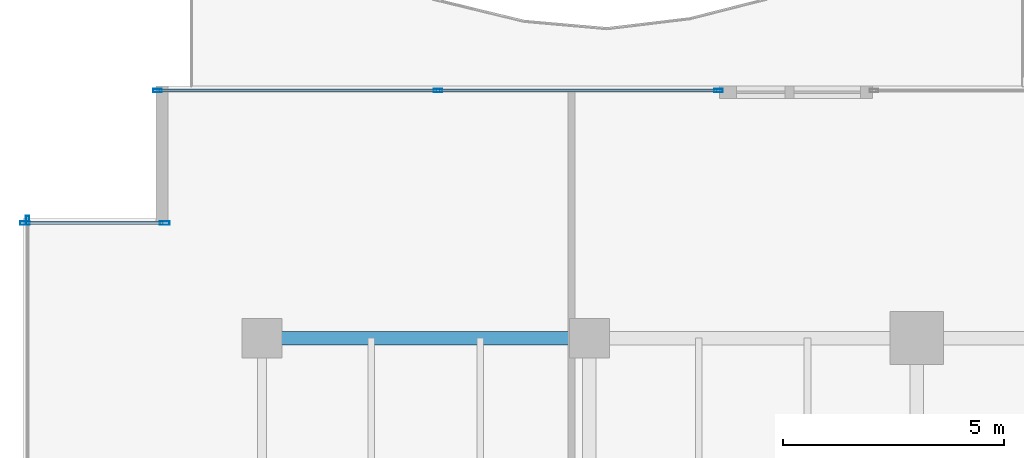
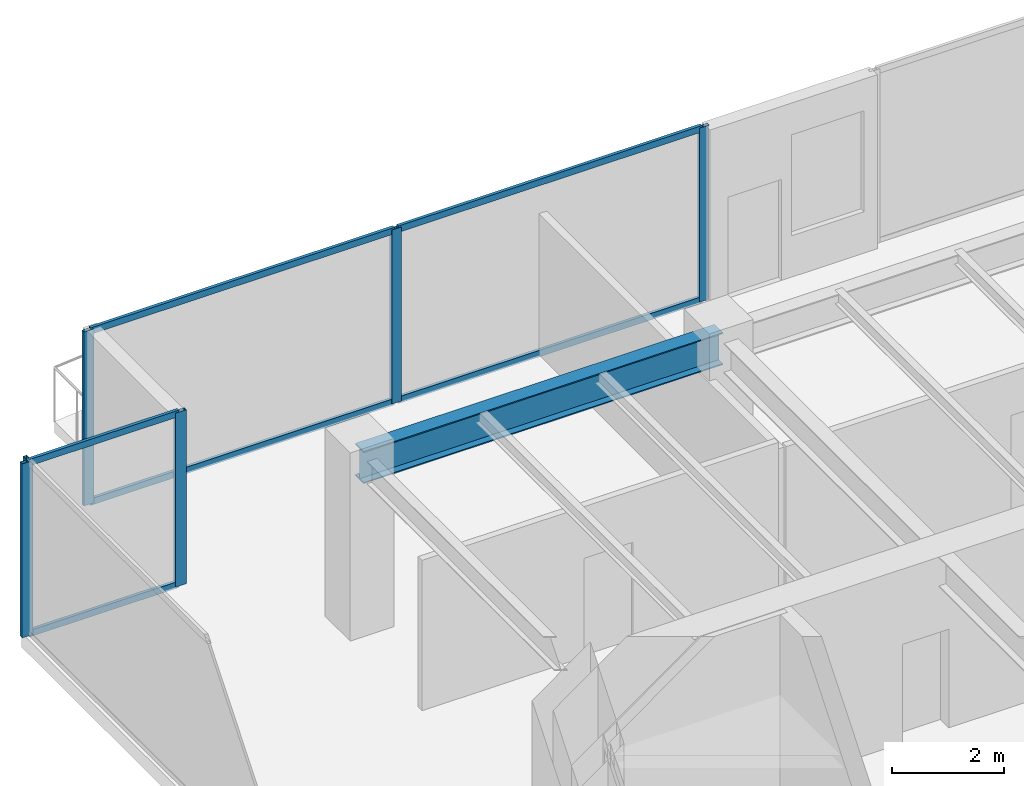
# One storey, part 12 of 30: 12 members, 1 beam, 3 elements without a shape of their own.
"""IFC4 building model written with IfcOpenShell, lengths in metres."""

from ifc_helpers import new_model, si_unit, direction, frame, origin, origin_2d, place, context, subcontext, project, spatial, hollow_rectangle, i_section, extrude, source, transform, mapped, material, layer, layer_set, material_profile, profile_set, type_object, type_shapes, element, aggregate, save


model = new_model("IFC4")

# Units and contexts
model_context = context("Model", 3, precision=1e-05, world=origin(), true_north=direction((0.0, 1.0)))
body_context = subcontext(model_context, "Body", "Model", "MODEL_VIEW")
ifc_project = project(units=[si_unit("LENGTHUNIT", "METRE"), si_unit("AREAUNIT", "SQUARE_METRE"), si_unit("VOLUMEUNIT", "CUBIC_METRE"), si_unit("PLANEANGLEUNIT", "RADIAN"), si_unit("MASSUNIT", "GRAM", prefix="KILO")], contexts=[model_context])

# Site, building, storey
site_placement = place(None, origin())
site = spatial("IfcSite", under=ifc_project, at=site_placement, CompositionType="ELEMENT")
building_placement = place(site_placement, origin())
building = spatial("IfcBuilding", under=site, at=building_placement, Name="Haelvirn Gate Laboratories", CompositionType="ELEMENT")
storey_placement = place(building_placement, frame((0.0, 0.0, 113.300048828125)))
storey = spatial("IfcBuildingStorey", under=building, at=storey_placement, Name="L27", CompositionType="ELEMENT", Elevation=113.300048828125)

# Beam
ifc_material_1 = material(Name="Steel SM355", Category="steel")
ifc_material_profile_1 = material_profile(ifc_material_1, i_section(OverallWidth=0.300048828125, OverallDepth=0.699951171875, WebThickness=0.012939453125, FlangeThickness=0.02392578125, at=origin_2d()), Name="H-700x300x13x24")
ifc_profile_set_1 = profile_set([ifc_material_profile_1], Name="Steel SM355")
beam_type = type_object("IfcBeamType", Name="BM-G-700", PredefinedType="BEAM", material=ifc_profile_set_1)
shared_shape_1 = source(origin(), body_context, "Body", "SweptSolid", [
    extrude(i_section(OverallWidth=0.300048828125, OverallDepth=0.699951171875, WebThickness=0.012939453125, FlangeThickness=0.02392578125, at=origin_2d()), origin(), (0.0, 0.0, 1.0), 7.400146484375),
])
type_shapes(beam_type, [shared_shape_1])
beam_placement = place(storey_placement, frame((7.39990234375, 41.60009765625, 3.43994140625), z_axis=(1.0, 0.0, 0.0), x_axis=(0.0, 1.0, 0.0)))
element("IfcBeam", 1, at=beam_placement, inside=storey, type_object=beam_type, Name="L27 Primary Girder Y41.6 (7.4-14.8)", PredefinedType="BEAM", context=body_context, shape_type="MappedRepresentation", body=[
    mapped(shared_shape_1, transform((0.0, 0.0, 0.0), scale=1.0)),
])

# Curtain wall, members
ifc_material_2 = material(Name="Anodised bronze unitised aluminium & triple low-E glass", Category="aluminium")
ifc_layer_1 = layer(ifc_material_2, 0.181884765625, Name="CW-SYS-5")
ifc_layer_set_1 = layer_set([ifc_layer_1], Name="Anodised bronze unitised aluminium & triple low-E glass")
curtain_wall_type_1 = type_object("IfcCurtainWallType", Name="CW-SYS-5", PredefinedType="NOTDEFINED", material=ifc_layer_set_1)
curtain_wall_1_placement = place(storey_placement, origin())
curtain_wall_1 = element("IfcCurtainWall", 2, at=curtain_wall_1_placement, inside=storey, type_object=curtain_wall_type_1, Name="L27 Unitised Curtain Wall CW-L27-P0-E16-1", PredefinedType="NOTDEFINED")
ifc_material_3 = material(Name="Extruded aluminium 6063-T6 (anodised bronze)", Category="aluminium")
ifc_material_profile_2 = material_profile(ifc_material_3, hollow_rectangle(XDim=0.06494140625, YDim=0.139892578125, WallThickness=0.00390625, at=origin_2d()), Name="CWT-140x65x4")
ifc_profile_set_2 = profile_set([ifc_material_profile_2], Name="Extruded aluminium 6063-T6 (anodised bronze)")
member_type_1 = type_object("IfcMemberType", Name="CWT-T140", PredefinedType="USERDEFINED", material=ifc_profile_set_2)
shared_shape_2 = source(origin(), body_context, "Body", "SweptSolid", [
    extrude(hollow_rectangle(XDim=0.06494140625, YDim=0.139892578125, WallThickness=0.00390625, at=origin_2d()), origin(), (0.0, 0.0, 1.0), 3.079833984375),
])
member_1_placement = place(storey_placement, frame((2.080078125, 44.199951171875, 0.032470703125), z_axis=(1.0, 0.0, 0.0), x_axis=(0.0, 1.0, 0.0)))
member_1 = element("IfcMember", 3, at=member_1_placement, type_object=member_type_1, Name="CW5 transom 1.1", ObjectType="TRANSOM", PredefinedType="USERDEFINED", context=body_context, shape_type="MappedRepresentation", body=[
    mapped(shared_shape_2, transform((0.0, 0.0, 0.0), scale=1.0)),
])
member_2_placement = place(storey_placement, frame((2.080078125, 44.199951171875, 3.757568359375), z_axis=(1.0, 0.0, 0.0), x_axis=(0.0, 1.0, 0.0)))
member_2 = element("IfcMember", 4, at=member_2_placement, type_object=member_type_1, Name="CW5 transom 1.2", ObjectType="TRANSOM", PredefinedType="USERDEFINED", context=body_context, shape_type="MappedRepresentation", body=[
    mapped(shared_shape_2, transform((0.0, 0.0, 0.0), scale=1.0)),
])

ifc_layer_2 = layer(ifc_material_2, 0.179931640625, Name="CW-SYS-3")
ifc_layer_set_2 = layer_set([ifc_layer_2], Name="Anodised bronze unitised aluminium & triple low-E glass")
curtain_wall_type_2 = type_object("IfcCurtainWallType", Name="CW-SYS-3", PredefinedType="NOTDEFINED", material=ifc_layer_set_2)
curtain_wall_2_placement = place(storey_placement, origin())
curtain_wall_2 = element("IfcCurtainWall", 5, at=curtain_wall_2_placement, inside=storey, type_object=curtain_wall_type_2, Name="L27 Unitised Curtain Wall CW-L27-P0-E14-1", PredefinedType="NOTDEFINED")
ifc_material_profile_3 = material_profile(ifc_material_3, hollow_rectangle(XDim=0.074951171875, YDim=0.199951171875, WallThickness=0.0048828125, at=origin_2d()), Name="CWM-200x75x5")
ifc_profile_set_3 = profile_set([ifc_material_profile_3], Name="Extruded aluminium 6063-T6 (anodised bronze)")
member_type_2 = type_object("IfcMemberType", Name="CWM-T200", PredefinedType="MULLION", material=ifc_profile_set_3)
shared_shape_3 = source(origin(), body_context, "Body", "SweptSolid", [
    extrude(hollow_rectangle(XDim=0.074951171875, YDim=0.199951171875, WallThickness=0.0048828125, at=origin_2d()), origin(), (0.0, 0.0, 1.0), 3.7900390625),
])
type_shapes(member_type_2, [shared_shape_3])
member_3_placement = place(storey_placement, frame((5.03759765625, 47.199951171875, 0.0), z_axis=(0.0, 0.0, 1.0), x_axis=(0.0, 1.0, 0.0)))
member_3 = element("IfcMember", 6, at=member_3_placement, type_object=member_type_2, Name="CW3 mullion 1", PredefinedType="MULLION", context=body_context, shape_type="MappedRepresentation", body=[
    mapped(shared_shape_3, transform((0.0, 0.0, 0.0), scale=1.0)),
])
member_4_placement = place(storey_placement, frame((11.37744140625, 47.199951171875, 0.0), z_axis=(0.0, 0.0, 1.0), x_axis=(0.0, 1.0, 0.0)))
member_4 = element("IfcMember", 7, at=member_4_placement, type_object=member_type_2, Name="CW3 mullion 2", PredefinedType="MULLION", context=body_context, shape_type="MappedRepresentation", body=[
    mapped(shared_shape_3, transform((0.0, 0.0, 0.0), scale=1.0)),
])
member_5_placement = place(storey_placement, frame((17.717529296875, 47.199951171875, 0.0), z_axis=(0.0, 0.0, 1.0), x_axis=(0.0, 1.0, 0.0)))
member_5 = element("IfcMember", 8, at=member_5_placement, type_object=member_type_2, Name="CW3 mullion 3", PredefinedType="MULLION", context=body_context, shape_type="MappedRepresentation", body=[
    mapped(shared_shape_3, transform((0.0, 0.0, 0.0), scale=1.0)),
])

# Curtain wall, member
curtain_wall_3_placement = place(storey_placement, origin())
curtain_wall_3 = element("IfcCurtainWall", 9, at=curtain_wall_3_placement, inside=storey, type_object=curtain_wall_type_2, Name="L27 Unitised Curtain Wall CW-L27-P0-E17", PredefinedType="NOTDEFINED")
member_6_placement = place(storey_placement, frame((2.10009765625, 44.262451171875, 0.0), z_axis=(0.0, 0.0, 1.0), x_axis=(1.0, 0.0, 0.0)))
member_6 = element("IfcMember", 10, at=member_6_placement, type_object=member_type_2, Name="CW3 mullion 1", PredefinedType="MULLION", context=body_context, shape_type="MappedRepresentation", body=[
    mapped(shared_shape_3, transform((0.0, 0.0, 0.0), scale=1.0)),
])
aggregate(curtain_wall_3, [member_6])

# Member
ifc_material_profile_4 = material_profile(ifc_material_3, hollow_rectangle(XDim=0.080078125, YDim=0.219970703125, WallThickness=0.006103515625, at=origin_2d()), Name="CWM-220x80x6")
ifc_profile_set_4 = profile_set([ifc_material_profile_4], Name="Extruded aluminium 6063-T6 (anodised bronze)")
member_type_3 = type_object("IfcMemberType", Name="CWM-T220", PredefinedType="MULLION", material=ifc_profile_set_4)
shared_shape_4 = source(origin(), body_context, "Body", "SweptSolid", [
    extrude(hollow_rectangle(XDim=0.080078125, YDim=0.219970703125, WallThickness=0.006103515625, at=origin_2d()), origin(), (0.0, 0.0, 1.0), 3.7900390625),
])
type_shapes(member_type_3, [shared_shape_4])
member_7_placement = place(storey_placement, frame((2.0400390625, 44.199951171875, 0.0), z_axis=(0.0, 0.0, 1.0), x_axis=(0.0, 1.0, 0.0)))
member_7 = element("IfcMember", 11, at=member_7_placement, type_object=member_type_3, Name="CW5 mullion 1", PredefinedType="MULLION", context=body_context, shape_type="MappedRepresentation", body=[
    mapped(shared_shape_4, transform((0.0, 0.0, 0.0), scale=1.0)),
])

member_8_placement = place(storey_placement, frame((5.199951171875, 44.199951171875, 0.0), z_axis=(0.0, 0.0, 1.0), x_axis=(0.0, 1.0, 0.0)))
member_8 = element("IfcMember", 12, at=member_8_placement, type_object=member_type_3, Name="CW5 mullion 2", PredefinedType="MULLION", context=body_context, shape_type="MappedRepresentation", body=[
    mapped(shared_shape_4, transform((0.0, 0.0, 0.0), scale=1.0)),
])

aggregate(curtain_wall_1, [member_7, member_8, member_1, member_2])

shared_shape_5 = source(origin(), body_context, "Body", "SweptSolid", [
    extrude(hollow_rectangle(XDim=0.06494140625, YDim=0.139892578125, WallThickness=0.00390625, at=origin_2d()), origin(), (0.0, 0.0, 1.0), 6.26513671875),
])
member_9_placement = place(storey_placement, frame((5.074951171875, 47.199951171875, 0.032470703125), z_axis=(1.0, 0.0, 0.0), x_axis=(0.0, 1.0, 0.0)))
member_9 = element("IfcMember", 13, at=member_9_placement, type_object=member_type_1, Name="CW3 transom 1.1", ObjectType="TRANSOM", PredefinedType="USERDEFINED", context=body_context, shape_type="MappedRepresentation", body=[
    mapped(shared_shape_5, transform((0.0, 0.0, 0.0), scale=1.0)),
])

member_10_placement = place(storey_placement, frame((5.074951171875, 47.199951171875, 3.757568359375), z_axis=(1.0, 0.0, 0.0), x_axis=(0.0, 1.0, 0.0)))
member_10 = element("IfcMember", 14, at=member_10_placement, type_object=member_type_1, Name="CW3 transom 1.2", ObjectType="TRANSOM", PredefinedType="USERDEFINED", context=body_context, shape_type="MappedRepresentation", body=[
    mapped(shared_shape_5, transform((0.0, 0.0, 0.0), scale=1.0)),
])

shared_shape_6 = source(origin(), body_context, "Body", "SweptSolid", [
    extrude(hollow_rectangle(XDim=0.06494140625, YDim=0.139892578125, WallThickness=0.00390625, at=origin_2d()), origin(), (0.0, 0.0, 1.0), 6.264892578125),
])
type_shapes(member_type_1, [shared_shape_2, shared_shape_5, shared_shape_6])
member_11_placement = place(storey_placement, frame((11.4150390625, 47.199951171875, 0.032470703125), z_axis=(1.0, 0.0, 0.0), x_axis=(0.0, 1.0, 0.0)))
member_11 = element("IfcMember", 15, at=member_11_placement, type_object=member_type_1, Name="CW3 transom 2.1", ObjectType="TRANSOM", PredefinedType="USERDEFINED", context=body_context, shape_type="MappedRepresentation", body=[
    mapped(shared_shape_6, transform((0.0, 0.0, 0.0), scale=1.0)),
])

member_12_placement = place(storey_placement, frame((11.4150390625, 47.199951171875, 3.757568359375), z_axis=(1.0, 0.0, 0.0), x_axis=(0.0, 1.0, 0.0)))
member_12 = element("IfcMember", 16, at=member_12_placement, type_object=member_type_1, Name="CW3 transom 2.2", ObjectType="TRANSOM", PredefinedType="USERDEFINED", context=body_context, shape_type="MappedRepresentation", body=[
    mapped(shared_shape_6, transform((0.0, 0.0, 0.0), scale=1.0)),
])

aggregate(curtain_wall_2, [member_3, member_4, member_5, member_9, member_10, member_11, member_12])

save(model, "model.ifc")
